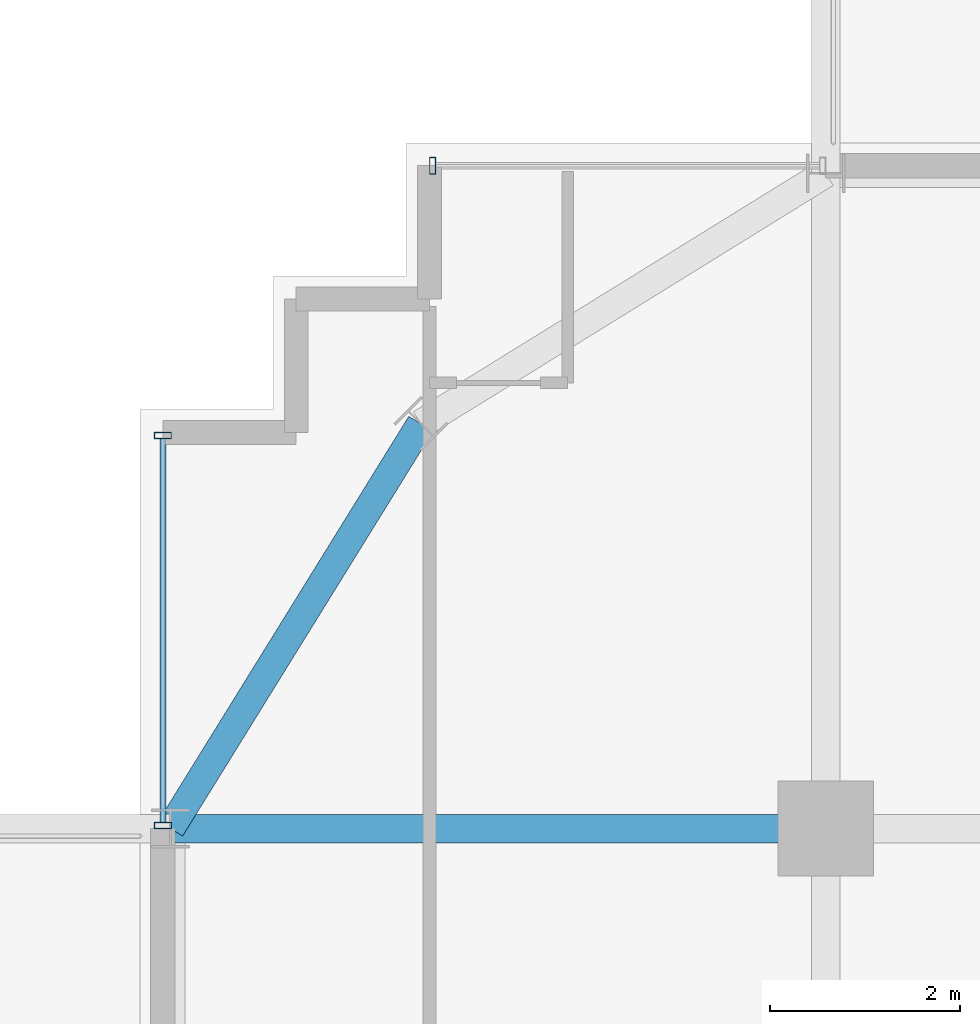
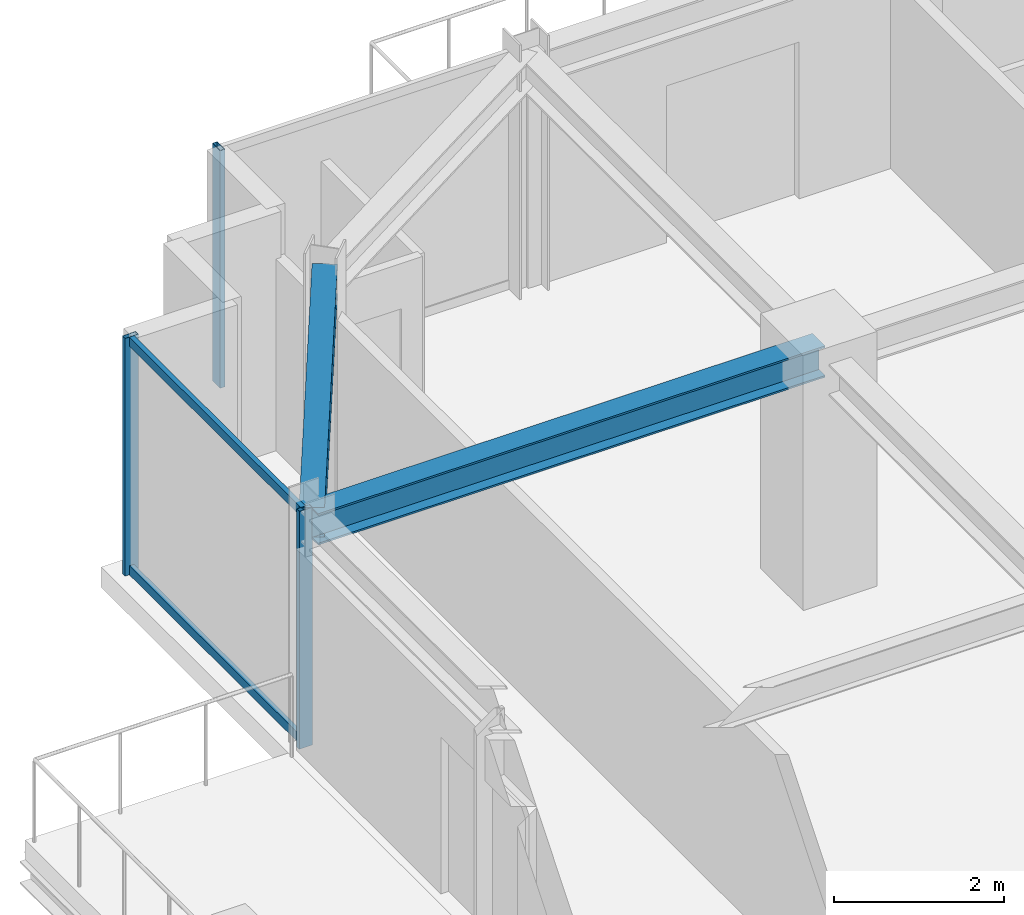
# One storey, part 20 of 36: 5 members, 2 beams, 2 elements without a shape of their own.
"""IFC4 building model written with IfcOpenShell, lengths in metres."""

from ifc_helpers import new_model, si_unit, direction, frame, origin, origin_2d, place, context, subcontext, project, spatial, hollow_rectangle, i_section, extrude, source, transform, mapped, material, material_profile, profile_set, type_object, element, aggregate, save


model = new_model("IFC4")

# Units and contexts
model_context = context("Model", 3, precision=1e-05, world=origin(), true_north=direction((0.0, 1.0)))
body_context = subcontext(model_context, "Body", "Model", "MODEL_VIEW")
ifc_project = project(units=[si_unit("LENGTHUNIT", "METRE"), si_unit("AREAUNIT", "SQUARE_METRE"), si_unit("VOLUMEUNIT", "CUBIC_METRE"), si_unit("PLANEANGLEUNIT", "RADIAN"), si_unit("MASSUNIT", "GRAM", prefix="KILO")], contexts=[model_context])

# Site, building, storey
site_placement = place(None, origin())
site = spatial("IfcSite", under=ifc_project, at=site_placement, CompositionType="ELEMENT")
building_placement = place(site_placement, origin())
building = spatial("IfcBuilding", under=site, at=building_placement, Name="Nahalor Promenade Grand Hotel", CompositionType="ELEMENT")
storey_placement = place(building_placement, frame((0.0, 0.0, 212.300048828125)))
storey = spatial("IfcBuildingStorey", under=building, at=storey_placement, Name="L54", CompositionType="ELEMENT", Elevation=212.300048828125)

# Beams
ifc_material_1 = material(Name="Steel S355JR", Category="steel")
ifc_material_profile_1 = material_profile(ifc_material_1, i_section(OverallWidth=0.3, OverallDepth=0.45, WebThickness=0.014, FlangeThickness=0.026, at=origin_2d()), Name="HEB 450")
ifc_profile_set_1 = profile_set([ifc_material_profile_1], Name="Steel S355JR")
beam_type_1 = type_object("IfcBeamType", Name="Beam-Spandrel-HEB450", PredefinedType="SPANDREL", material=ifc_profile_set_1)
shared_shape_1 = source(origin(), body_context, "Body", "SweptSolid", [
    extrude(i_section(OverallWidth=0.3, OverallDepth=0.45, WebThickness=0.014, FlangeThickness=0.026, at=origin_2d()), origin(), (0.0, 0.0, 1.0), 4.997802734375),
])
beam_1_placement = place(storey_placement, frame((-21.25, 21.25, 3.18505859375), z_axis=(-0.526199891161, -0.850360908404, 0.0), x_axis=(0.850360908404, -0.526199891161, 0.0)))
element("IfcBeam", 1, at=beam_1_placement, inside=storey, type_object=beam_type_1, Name="BM-L54-SPC-NW-2", PredefinedType="SPANDREL", context=body_context, shape_type="MappedRepresentation", body=[
    mapped(shared_shape_1, transform((0.0, 0.0, 0.0), scale=1.0)),
])
ifc_material_profile_2 = material_profile(ifc_material_1, i_section(OverallWidth=0.3, OverallDepth=0.45, WebThickness=0.014, FlangeThickness=0.026, at=origin_2d()), Name="HEB 450")
ifc_profile_set_2 = profile_set([ifc_material_profile_2], Name="Steel S355JR")
beam_type_2 = type_object("IfcBeamType", Name="Beam-Girder-HEB450", PredefinedType="BEAM", material=ifc_profile_set_2)
shared_shape_2 = source(origin(), body_context, "Body", "SweptSolid", [
    extrude(i_section(OverallWidth=0.3, OverallDepth=0.45, WebThickness=0.014, FlangeThickness=0.026, at=origin_2d()), origin(), (0.0, 0.0, 1.0), 6.8798828125),
])
beam_2_placement = place(storey_placement, frame((-23.8798828125, 17.0, 3.18505859375), z_axis=(1.0, 0.0, 0.0), x_axis=(0.0, 1.0, 0.0)))
element("IfcBeam", 2, at=beam_2_placement, inside=storey, type_object=beam_type_2, Name="BM-L54-GX-3-0", PredefinedType="BEAM", context=body_context, shape_type="MappedRepresentation", body=[
    mapped(shared_shape_2, transform((0.0, 0.0, 0.0), scale=1.0)),
])

# Curtain wall, members
ifc_material_2 = material(Name="Anodised Bronze Aluminium EN AW-6063 T6", Category="aluminium")
curtain_wall_type = type_object("IfcCurtainWallType", Name="CW2 Typical Hotel Flush Bronze Unitised Curtain Wall", PredefinedType="USERDEFINED", material=ifc_material_2)
curtain_wall_1_placement = place(storey_placement, origin())
curtain_wall_1 = element("IfcCurtainWall", 3, at=curtain_wall_1_placement, inside=storey, type_object=curtain_wall_type, Name="L54 Curtain Wall CW-L54-W-3", ObjectType="UNITISED_CURTAIN_WALL", PredefinedType="USERDEFINED")
ifc_material_profile_3 = material_profile(ifc_material_2, hollow_rectangle(XDim=0.065, YDim=0.13, WallThickness=0.004, at=origin_2d()), Name="CWT 65x130x4")
ifc_profile_set_3 = profile_set([ifc_material_profile_3], Name="Anodised Bronze Aluminium EN AW-6063 T6")
member_type_1 = type_object("IfcMemberType", Name="CWT2 Typical Bronze Transom 65x130", PredefinedType="USERDEFINED", material=ifc_profile_set_3)
shared_shape_3 = source(origin(), body_context, "Body", "SweptSolid", [
    extrude(hollow_rectangle(XDim=0.065, YDim=0.13, WallThickness=0.004, at=origin_2d()), origin(), (0.0, 0.0, 1.0), 4.030029296875),
])
member_1_placement = place(storey_placement, frame((-23.9599609375, 17.06494140625, 0.06494140625), z_axis=(0.0, 1.0, 0.0), x_axis=(-1.0, 0.0, 0.0)))
member_1 = element("IfcMember", 4, at=member_1_placement, type_object=member_type_1, Name="CW-L54-W-3 Transom 0-0", ObjectType="TRANSOM", PredefinedType="USERDEFINED", context=body_context, shape_type="MappedRepresentation", body=[
    mapped(shared_shape_3, transform((0.0, 0.0, 0.0), scale=1.0)),
])
member_2_placement = place(storey_placement, frame((-23.9599609375, 17.06494140625, 3.344970703125), z_axis=(0.0, 1.0, 0.0), x_axis=(-1.0, 0.0, 0.0)))
member_2 = element("IfcMember", 5, at=member_2_placement, type_object=member_type_1, Name="CW-L54-W-3 Transom 0-1", ObjectType="TRANSOM", PredefinedType="USERDEFINED", context=body_context, shape_type="MappedRepresentation", body=[
    mapped(shared_shape_3, transform((0.0, 0.0, 0.0), scale=1.0)),
])

# Curtain wall, member
curtain_wall_2_placement = place(storey_placement, origin())
curtain_wall_2 = element("IfcCurtainWall", 6, at=curtain_wall_2_placement, inside=storey, type_object=curtain_wall_type, Name="L54 Curtain Wall CW-L54-N-1", ObjectType="UNITISED_CURTAIN_WALL", PredefinedType="USERDEFINED")
ifc_material_profile_4 = material_profile(ifc_material_2, hollow_rectangle(XDim=0.065, YDim=0.18, WallThickness=0.004, at=origin_2d()), Name="CWM 65x180x4")
ifc_profile_set_4 = profile_set([ifc_material_profile_4], Name="Anodised Bronze Aluminium EN AW-6063 T6")
member_type_2 = type_object("IfcMemberType", Name="CWM2 Typical Bronze Mullion 65x180", PredefinedType="MULLION", material=ifc_profile_set_4)
shared_shape_4 = source(origin(), body_context, "Body", "SweptSolid", [
    extrude(hollow_rectangle(XDim=0.065, YDim=0.18, WallThickness=0.004, at=origin_2d()), origin(), (0.0, 0.0, 1.0), 3.409912109375),
])
member_3_placement = place(storey_placement, frame((-21.12744140625, 23.9599609375, 0.0), z_axis=(0.0, 0.0, 1.0), x_axis=(1.0, 0.0, 0.0)))
member_3 = element("IfcMember", 7, at=member_3_placement, type_object=member_type_2, Name="CW-L54-N-1 Mullion 0", PredefinedType="MULLION", context=body_context, shape_type="MappedRepresentation", body=[
    mapped(shared_shape_4, transform((0.0, 0.0, 0.0), scale=1.0)),
])
aggregate(curtain_wall_2, [member_3])

# Member
member_4_placement = place(storey_placement, frame((-23.9599609375, 17.032470703125, 0.0), z_axis=(0.0, 0.0, 1.0), x_axis=(0.0, 1.0, 0.0)))
member_4 = element("IfcMember", 8, at=member_4_placement, type_object=member_type_2, Name="CW-L54-W-3 Mullion 0", PredefinedType="MULLION", context=body_context, shape_type="MappedRepresentation", body=[
    mapped(shared_shape_4, transform((0.0, 0.0, 0.0), scale=1.0)),
])

member_5_placement = place(storey_placement, frame((-23.9599609375, 21.12744140625, 0.0), z_axis=(0.0, 0.0, 1.0), x_axis=(0.0, 1.0, 0.0)))
member_5 = element("IfcMember", 9, at=member_5_placement, type_object=member_type_2, Name="CW-L54-W-3 Mullion 1", PredefinedType="MULLION", context=body_context, shape_type="MappedRepresentation", body=[
    mapped(shared_shape_4, transform((0.0, 0.0, 0.0), scale=1.0)),
])

aggregate(curtain_wall_1, [member_4, member_5, member_1, member_2])

save(model, "model.ifc")
